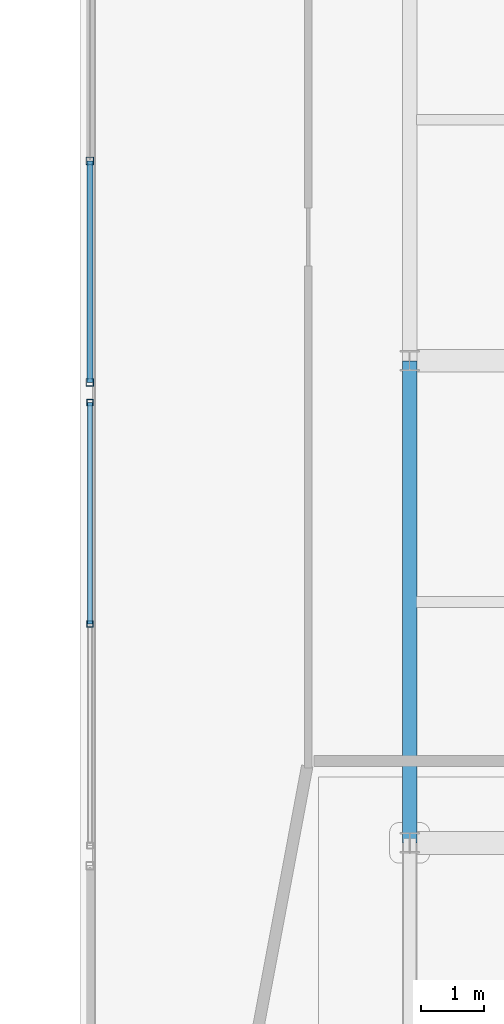
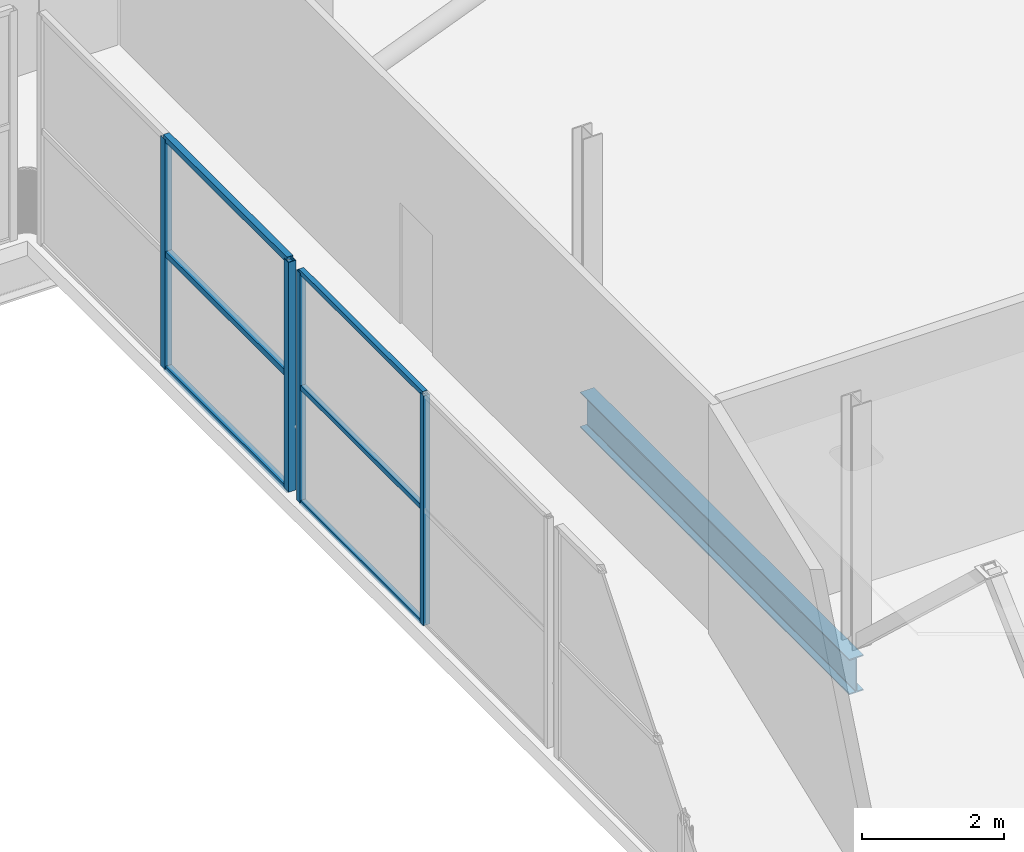
# One storey, part 101 of 151: 10 members, 1 beam, 2 elements without a shape of their own.
"""IFC4 building model written with IfcOpenShell, lengths in metres."""

from ifc_helpers import new_model, si_unit, direction, frame, origin, origin_2d, place, context, subcontext, project, spatial, hollow_rectangle, i_section, extrude, material, material_profile, profile_set, type_object, element, aggregate, save


model = new_model("IFC4")

# Units and contexts
model_context = context("Model", 3, precision=1e-05, world=origin(), true_north=direction((0.0, 1.0)))
body_context = subcontext(model_context, "Body", "Model", "MODEL_VIEW")
ifc_project = project(units=[si_unit("LENGTHUNIT", "METRE"), si_unit("AREAUNIT", "SQUARE_METRE"), si_unit("VOLUMEUNIT", "CUBIC_METRE"), si_unit("PLANEANGLEUNIT", "RADIAN"), si_unit("MASSUNIT", "GRAM", prefix="KILO")], contexts=[model_context])

# Site, building, storey
site_placement = place(None, origin())
site = spatial("IfcSite", under=ifc_project, at=site_placement, CompositionType="ELEMENT")
building_placement = place(site_placement, origin())
building = spatial("IfcBuilding", under=site, at=building_placement, Name="Zuvorla Pavilion Media Centre", CompositionType="ELEMENT")
storey_placement = place(building_placement, frame((0.0, 0.0, 13.800048828125)))
storey = spatial("IfcBuildingStorey", under=building, at=storey_placement, Name="L03", CompositionType="ELEMENT", Elevation=13.800048828125)

# Beam
ifc_material_1 = material(Name="Steel S355", Category="steel")
ifc_material_profile_1 = material_profile(ifc_material_1, i_section(OverallWidth=0.22900390625, OverallDepth=0.6123046875, WebThickness=0.011962890625, FlangeThickness=0.01953125, FilletRadius=0.0126953125, at=origin_2d()), Name="UB 610x229x125")
ifc_profile_set_1 = profile_set([ifc_material_profile_1], Name="Steel S355")
beam_type = type_object("IfcBeamType", Name="BM-UB610", PredefinedType="BEAM", material=ifc_profile_set_1)
beam_placement = place(storey_placement, frame((159.199951171875, 66.800048828125, -0.564208984375), z_axis=(0.0, 1.0, 0.0), x_axis=(-1.0, 0.0, 0.0)))
element("IfcBeam", 1, at=beam_placement, inside=storey, type_object=beam_type, Name="L03 beam B07 1225", PredefinedType="BEAM", context=body_context, shape_type="SweptSolid", body=[
    extrude(i_section(OverallWidth=0.22900390625, OverallDepth=0.6123046875, WebThickness=0.011962890625, FlangeThickness=0.01953125, FilletRadius=0.0126953125, at=origin_2d()), origin(), (0.0, 0.0, 1.0), 7.599853515625),
])

# Curtain wall, members
ifc_material_2 = material(Name="Unitised anodised aluminium and solar glass curtain wall", Category="aluminium")
curtain_wall_type_1 = type_object("IfcCurtainWallType", Name="CW-SYS-57", PredefinedType="USERDEFINED", material=ifc_material_2)
curtain_wall_1_placement = place(storey_placement, origin())
curtain_wall_1 = element("IfcCurtainWall", 2, at=curtain_wall_1_placement, inside=storey, type_object=curtain_wall_type_1, Name="L03 curtain wall CW57 191", ObjectType="CURTAIN WALL", PredefinedType="USERDEFINED")
ifc_material_3 = material(Name="Anodised aluminium 6063-T6", Category="aluminium")
ifc_material_profile_2 = material_profile(ifc_material_3, hollow_rectangle(XDim=0.10009765625, YDim=0.10009765625, WallThickness=0.00439453125, at=origin_2d()), Name="ALU MULL 100x100")
ifc_profile_set_2 = profile_set([ifc_material_profile_2], Name="Anodised aluminium 6063-T6")
member_type_1 = type_object("IfcMemberType", Name="CW-MULL-100", PredefinedType="MULLION", material=ifc_profile_set_2)
member_1_placement = place(storey_placement, frame((154.159912109375, 70.25, 0.0), z_axis=(0.0, 0.0, 1.0), x_axis=(1.0, 0.0, 0.0)))
member_1 = element("IfcMember", 3, at=member_1_placement, type_object=member_type_1, Name="CW57 mullion 2", PredefinedType="MULLION", context=body_context, shape_type="SweptSolid", body=[
    extrude(hollow_rectangle(XDim=0.10009765625, YDim=0.10009765625, WallThickness=0.00439453125, at=origin_2d()), origin(), (0.0, 0.0, 1.0), 3.9599609375),
])
member_2_placement = place(storey_placement, frame((154.159912109375, 73.739990234375, 0.0), z_axis=(0.0, 0.0, 1.0), x_axis=(1.0, 0.0, 0.0)))
member_2 = element("IfcMember", 4, at=member_2_placement, type_object=member_type_1, Name="CW57 mullion 3", PredefinedType="MULLION", context=body_context, shape_type="SweptSolid", body=[
    extrude(hollow_rectangle(XDim=0.10009765625, YDim=0.10009765625, WallThickness=0.00439453125, at=origin_2d()), origin(), (0.0, 0.0, 1.0), 3.9599609375),
])

curtain_wall_type_2 = type_object("IfcCurtainWallType", Name="CW-SYS-24", PredefinedType="USERDEFINED", material=ifc_material_2)
curtain_wall_2_placement = place(storey_placement, origin())
curtain_wall_2 = element("IfcCurtainWall", 5, at=curtain_wall_2_placement, inside=storey, type_object=curtain_wall_type_2, Name="L03 curtain wall CW24 193", ObjectType="CURTAIN WALL", PredefinedType="USERDEFINED")
ifc_material_profile_3 = material_profile(ifc_material_3, hollow_rectangle(XDim=0.1201171875, YDim=0.1201171875, WallThickness=0.0048828125, at=origin_2d()), Name="ALU MULL 120x120")
ifc_profile_set_3 = profile_set([ifc_material_profile_3], Name="Anodised aluminium 6063-T6")
member_type_2 = type_object("IfcMemberType", Name="CW-MULL-120", PredefinedType="MULLION", material=ifc_profile_set_3)
member_3_placement = place(storey_placement, frame((154.159912109375, 74.06005859375, 0.0), z_axis=(0.0, 0.0, 1.0), x_axis=(1.0, 0.0, 0.0)))
member_3 = element("IfcMember", 6, at=member_3_placement, type_object=member_type_2, Name="CW24 mullion 1", PredefinedType="MULLION", context=body_context, shape_type="SweptSolid", body=[
    extrude(hollow_rectangle(XDim=0.1201171875, YDim=0.1201171875, WallThickness=0.0048828125, at=origin_2d()), origin(), (0.0, 0.0, 1.0), 3.9599609375),
])
member_4_placement = place(storey_placement, frame((154.159912109375, 77.550048828125, 0.0), z_axis=(0.0, 0.0, 1.0), x_axis=(1.0, 0.0, 0.0)))
member_4 = element("IfcMember", 7, at=member_4_placement, type_object=member_type_2, Name="CW24 mullion 2", PredefinedType="MULLION", context=body_context, shape_type="SweptSolid", body=[
    extrude(hollow_rectangle(XDim=0.1201171875, YDim=0.1201171875, WallThickness=0.0048828125, at=origin_2d()), origin(), (0.0, 0.0, 1.0), 3.9599609375),
])
ifc_material_profile_4 = material_profile(ifc_material_3, hollow_rectangle(XDim=0.10009765625, YDim=0.10009765625, WallThickness=0.00439453125, at=origin_2d()), Name="ALU TRAN 100x100")
ifc_profile_set_4 = profile_set([ifc_material_profile_4], Name="Anodised aluminium 6063-T6")
member_type_3 = type_object("IfcMemberType", Name="CW-TRAN-100", PredefinedType="USERDEFINED", material=ifc_profile_set_4)
member_5_placement = place(storey_placement, frame((154.159912109375, 74.06005859375, 0.0), z_axis=(0.0, 1.0, 0.0), x_axis=(-1.0, 0.0, 0.0)))
member_5 = element("IfcMember", 8, at=member_5_placement, type_object=member_type_3, Name="CW24 transom 1.1", ObjectType="TRANSOM", PredefinedType="USERDEFINED", context=body_context, shape_type="SweptSolid", body=[
    extrude(hollow_rectangle(XDim=0.10009765625, YDim=0.10009765625, WallThickness=0.00439453125, at=origin_2d()), origin(), (0.0, 0.0, 1.0), 3.489990234375),
])
member_6_placement = place(storey_placement, frame((154.159912109375, 74.06005859375, 1.97998046875), z_axis=(0.0, 1.0, 0.0), x_axis=(-1.0, 0.0, 0.0)))
member_6 = element("IfcMember", 9, at=member_6_placement, type_object=member_type_3, Name="CW24 transom 1.2", ObjectType="TRANSOM", PredefinedType="USERDEFINED", context=body_context, shape_type="SweptSolid", body=[
    extrude(hollow_rectangle(XDim=0.10009765625, YDim=0.10009765625, WallThickness=0.00439453125, at=origin_2d()), origin(), (0.0, 0.0, 1.0), 3.489990234375),
])
member_7_placement = place(storey_placement, frame((154.159912109375, 74.06005859375, 3.9599609375), z_axis=(0.0, 1.0, 0.0), x_axis=(-1.0, 0.0, 0.0)))
member_7 = element("IfcMember", 10, at=member_7_placement, type_object=member_type_3, Name="CW24 transom 1.3", ObjectType="TRANSOM", PredefinedType="USERDEFINED", context=body_context, shape_type="SweptSolid", body=[
    extrude(hollow_rectangle(XDim=0.10009765625, YDim=0.10009765625, WallThickness=0.00439453125, at=origin_2d()), origin(), (0.0, 0.0, 1.0), 3.489990234375),
])
aggregate(curtain_wall_2, [member_3, member_4, member_5, member_6, member_7])

# Member
ifc_material_profile_5 = material_profile(ifc_material_3, hollow_rectangle(XDim=0.080078125, YDim=0.080078125, WallThickness=0.00390625, at=origin_2d()), Name="ALU TRAN 80x80")
ifc_profile_set_5 = profile_set([ifc_material_profile_5], Name="Anodised aluminium 6063-T6")
member_type_4 = type_object("IfcMemberType", Name="CW-TRAN-80", PredefinedType="USERDEFINED", material=ifc_profile_set_5)
member_8_placement = place(storey_placement, frame((154.159912109375, 70.25, 0.0), z_axis=(0.0, 1.0, 0.0), x_axis=(-1.0, 0.0, 0.0)))
member_8 = element("IfcMember", 11, at=member_8_placement, type_object=member_type_4, Name="CW57 transom 2.1", ObjectType="TRANSOM", PredefinedType="USERDEFINED", context=body_context, shape_type="SweptSolid", body=[
    extrude(hollow_rectangle(XDim=0.080078125, YDim=0.080078125, WallThickness=0.00390625, at=origin_2d()), origin(), (0.0, 0.0, 1.0), 3.489990234375),
])

member_9_placement = place(storey_placement, frame((154.159912109375, 70.25, 1.97998046875), z_axis=(0.0, 1.0, 0.0), x_axis=(-1.0, 0.0, 0.0)))
member_9 = element("IfcMember", 12, at=member_9_placement, type_object=member_type_4, Name="CW57 transom 2.2", ObjectType="TRANSOM", PredefinedType="USERDEFINED", context=body_context, shape_type="SweptSolid", body=[
    extrude(hollow_rectangle(XDim=0.080078125, YDim=0.080078125, WallThickness=0.00390625, at=origin_2d()), origin(), (0.0, 0.0, 1.0), 3.489990234375),
])

member_10_placement = place(storey_placement, frame((154.159912109375, 70.25, 3.9599609375), z_axis=(0.0, 1.0, 0.0), x_axis=(-1.0, 0.0, 0.0)))
member_10 = element("IfcMember", 13, at=member_10_placement, type_object=member_type_4, Name="CW57 transom 2.3", ObjectType="TRANSOM", PredefinedType="USERDEFINED", context=body_context, shape_type="SweptSolid", body=[
    extrude(hollow_rectangle(XDim=0.080078125, YDim=0.080078125, WallThickness=0.00390625, at=origin_2d()), origin(), (0.0, 0.0, 1.0), 3.489990234375),
])

aggregate(curtain_wall_1, [member_1, member_2, member_8, member_9, member_10])

save(model, "model.ifc")
